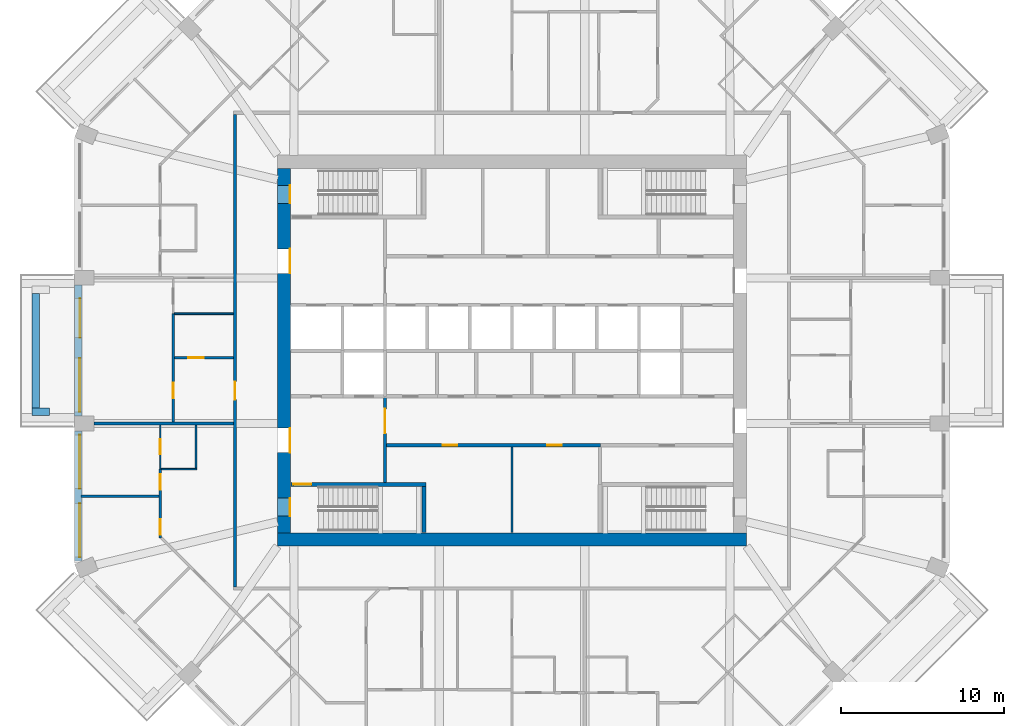
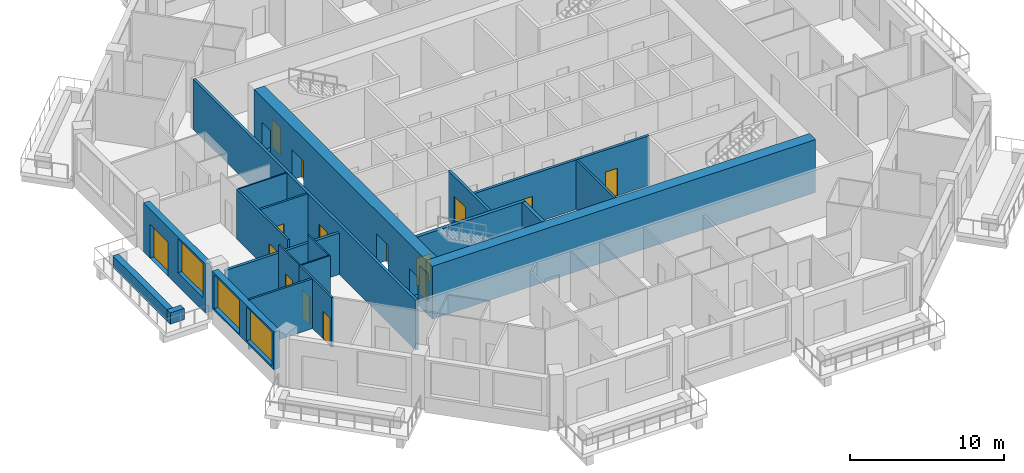
# One storey, part 4 of 13: 21 walls, 15 doors, 3 windows, 18 openings.
"""IFC4 building model written with IfcOpenShell, lengths in metres."""

from ifc_helpers import new_model, si_unit, direction, frame, frame_2d, origin, place, context, subcontext, project, spatial, rectangle, extrude, material, layer, layer_set, type_object, element, fill, save


model = new_model("IFC4")

# Units and contexts
model_context = context("Model", 3, precision=1e-05, world=origin(), true_north=direction((0.0, 1.0)))
body_context = subcontext(model_context, "Body", "Model", "MODEL_VIEW")
ifc_project = project(units=[si_unit("LENGTHUNIT", "METRE"), si_unit("AREAUNIT", "SQUARE_METRE"), si_unit("VOLUMEUNIT", "CUBIC_METRE"), si_unit("PLANEANGLEUNIT", "RADIAN"), si_unit("MASSUNIT", "GRAM", prefix="KILO")], contexts=[model_context])

# Site, building, storey
site_placement = place(None, origin())
site = spatial("IfcSite", under=ifc_project, at=site_placement, CompositionType="ELEMENT")
building_placement = place(site_placement, origin())
building = spatial("IfcBuilding", under=site, at=building_placement, Name="Msitu Wima Residences", CompositionType="ELEMENT")
storey_placement = place(building_placement, frame((0.0, 0.0, 114.89990234375)))
storey = spatial("IfcBuildingStorey", under=building, at=storey_placement, Name="L26", CompositionType="ELEMENT", Elevation=114.89990234375)

# Walls
ifc_material_1 = material(Name="Facing brick")
ifc_layer_1 = layer(ifc_material_1, 0.06494140625, Name="Facing brick")
ifc_material_2 = material(Name="Concrete C40/50", Category="concrete")
ifc_layer_2 = layer(ifc_material_2, 0.156005859375, Name="Concrete C40/50")
ifc_material_3 = material(Name="Waterproofing membrane")
ifc_layer_3 = layer(ifc_material_3, 0.00390625, Name="Waterproofing membrane")
ifc_material_4 = material(Name="Planting soil and planting")
ifc_layer_4 = layer(ifc_material_4, 0.22509765625, Name="Planting soil and planting")
ifc_layer_set_1 = layer_set([ifc_layer_1, ifc_layer_2, ifc_layer_3, ifc_layer_4], Name="Concrete C40/50")
wall_type_1 = type_object("IfcWallType", Name="Balcony planter PLANTER PL450", PredefinedType="USERDEFINED", material=ifc_layer_set_1)
wall_1_placement = place(storey_placement, frame((-29.22509765625, 3.5185546875, 0.0), z_axis=(0.0, 0.0, 1.0), x_axis=(0.0, -1.0, 0.0)))
element("IfcWall", 1, at=wall_1_placement, inside=storey, type_object=wall_type_1, Name="Balcony planter W1 L26", ObjectType="PLANTER", PredefinedType="USERDEFINED", context=body_context, shape_type="SweptSolid", body=[
    extrude(rectangle(XDim=7.037109375, YDim=0.449951171875, at=frame_2d((3.5185546875, 0.0))), origin(), (0.0, 0.0, 1.0), 0.900146484375),
])
wall_2_placement = place(storey_placement, frame((-28.39990234375, -3.74365234375, 0.0), z_axis=(0.0, 0.0, 1.0), x_axis=(-1.0, 0.0, 0.0)))
element("IfcWall", 2, at=wall_2_placement, inside=storey, type_object=wall_type_1, Name="Balcony planter W1 L26", ObjectType="PLANTER", PredefinedType="USERDEFINED", context=body_context, shape_type="SweptSolid", body=[
    extrude(rectangle(XDim=1.050048828125, YDim=0.449951171875, at=frame_2d((0.52490234375, 0.0))), origin(), (0.0, 0.0, 1.0), 0.900146484375),
])

# Wall, openings, door, window
ifc_material_5 = material(Name="Brick (red buff mix)", Category="masonry")
ifc_layer_5 = layer(ifc_material_5, 0.449951171875)
ifc_layer_set_2 = layer_set([ifc_layer_5], Name="Brick (red buff mix)")
wall_type_2 = type_object("IfcWallType", Name="Brick infill wall BW450", PredefinedType="SOLIDWALL", material=ifc_layer_set_2)
wall_3_placement = place(storey_placement, frame((-26.625, 4.0185546875, 0.0), z_axis=(0.0, 0.0, 1.0), x_axis=(0.0, -1.0, 0.0)))
wall_3 = element("IfcWall", 3, at=wall_3_placement, inside=storey, type_object=wall_type_2, Name="Brick infill wall L26 W1", PredefinedType="SOLIDWALL", context=body_context, shape_type="SweptSolid", body=[
    extrude(rectangle(XDim=8.037109375, YDim=0.449951171875, at=frame_2d((4.0185546875, 0.0))), origin(), (0.0, 0.0, 1.0), 3.900146484375),
])
opening_1_placement = place(wall_3_placement, frame((0.809326171875, 0.0, 0.0)))
opening_1 = element("IfcOpeningElement", 4, at=opening_1_placement, cuts=wall_3, Name="Opening D25-26.010", PredefinedType="OPENING", context=body_context, shape_type="SweptSolid", body=[
    extrude(rectangle(XDim=2.39990234375, YDim=2.699951171875, at=frame_2d((1.199951171875, 1.35009765625))), frame((0.0, 0.23486328125, 0.0), z_axis=(0.0, -1.0, 0.0), x_axis=(1.0, 0.0, 0.0)), (0.0, 0.0, 1.0), 0.469970703125),
])
opening_2_placement = place(wall_3_placement, frame((4.46875, 0.0, 1.050048828125)))
opening_2 = element("IfcOpeningElement", 5, at=opening_2_placement, cuts=wall_3, Name="Opening W25-26.028", PredefinedType="OPENING", context=body_context, shape_type="SweptSolid", body=[
    extrude(rectangle(XDim=3.300048828125, YDim=2.699951171875, at=frame_2d((1.64990234375, 1.35009765625))), frame((0.0, 0.23486328125, 0.0), z_axis=(0.0, -1.0, 0.0), x_axis=(1.0, 0.0, 0.0)), (0.0, 0.0, 1.0), 0.469970703125),
])
ifc_material_6 = material(Name="Anodised aluminium, bronze finish, clear low-emissivity double glazing", Category="aluminium")
door_type_1 = type_object("IfcDoorType", Name="Balcony door D2400x2700", OperationType="SLIDING_TO_LEFT", PredefinedType="DOOR", material=ifc_material_6)
door_1_placement = place(opening_1_placement, origin())
door_1 = element("IfcDoor", 6, at=door_1_placement, inside=storey, type_object=door_type_1, Name="Balcony door L26 W1", OperationType="SINGLE_SWING_LEFT", OverallHeight=2.699951171875, OverallWidth=2.39990234375, PredefinedType="DOOR", context=body_context, shape_type="SweptSolid", body=[
    extrude(rectangle(XDim=2.39990234375, YDim=2.699951171875, at=frame_2d((1.199951171875, 1.35009765625))), frame((0.0, 0.1298828125, 0.0), z_axis=(0.0, -1.0, 0.0), x_axis=(1.0, 0.0, 0.0)), (0.0, 0.0, 1.0), 0.050048828125),
])
fill(opening_1, door_1)
window_type = type_object("IfcWindowType", Name="Window W3300x2700", PartitioningType="DOUBLE_PANEL_VERTICAL", PredefinedType="WINDOW", material=ifc_material_6)
window_1_placement = place(opening_2_placement, origin())
window_1 = element("IfcWindow", 7, at=window_1_placement, inside=storey, type_object=window_type, Name="Window L26 W1.2", OverallHeight=2.699951171875, OverallWidth=3.300048828125, PartitioningType="SINGLE_PANEL", PredefinedType="WINDOW", context=body_context, shape_type="SweptSolid", body=[
    extrude(rectangle(XDim=3.300048828125, YDim=2.699951171875, at=frame_2d((1.64990234375, 1.35009765625))), frame((0.0, 0.135009765625, 0.0), z_axis=(0.0, -1.0, 0.0), x_axis=(1.0, 0.0, 0.0)), (0.0, 0.0, 1.0), 0.06005859375),
])
fill(opening_2, window_1)

# Wall, openings, windows
wall_4_placement = place(storey_placement, frame((-26.625, -4.918701171875, 0.900146484375), z_axis=(0.0, 0.0, 1.0), x_axis=(0.0, -1.0, 0.0)))
wall_4 = element("IfcWall", 8, at=wall_4_placement, inside=storey, type_object=wall_type_2, Name="Brick infill wall L26 W2", PredefinedType="SOLIDWALL", context=body_context, shape_type="SweptSolid", body=[
    extrude(rectangle(XDim=8.0, YDim=0.449951171875, at=frame_2d((4.0, 0.0))), origin(), (0.0, 0.0, 1.0), 3.0),
])
opening_3_placement = place(wall_4_placement, frame((0.25, 0.0, 0.14990234375)))
opening_3 = element("IfcOpeningElement", 9, at=opening_3_placement, cuts=wall_4, Name="Opening W25-26.029", PredefinedType="OPENING", context=body_context, shape_type="SweptSolid", body=[
    extrude(rectangle(XDim=3.300048828125, YDim=2.699951171875, at=frame_2d((1.64990234375, 1.35009765625))), frame((0.0, 0.23486328125, 0.0), z_axis=(0.0, -1.0, 0.0), x_axis=(1.0, 0.0, 0.0)), (0.0, 0.0, 1.0), 0.469970703125),
])
opening_4_placement = place(wall_4_placement, frame((4.4501953125, 0.0, 0.14990234375)))
opening_4 = element("IfcOpeningElement", 10, at=opening_4_placement, cuts=wall_4, Name="Opening W25-26.030", PredefinedType="OPENING", context=body_context, shape_type="SweptSolid", body=[
    extrude(rectangle(XDim=3.300048828125, YDim=2.699951171875, at=frame_2d((1.64990234375, 1.35009765625))), frame((0.0, 0.23486328125, 0.0), z_axis=(0.0, -1.0, 0.0), x_axis=(1.0, 0.0, 0.0)), (0.0, 0.0, 1.0), 0.469970703125),
])
window_2_placement = place(opening_3_placement, origin())
window_2 = element("IfcWindow", 11, at=window_2_placement, inside=storey, type_object=window_type, Name="Window L26 W2.1", OverallHeight=2.699951171875, OverallWidth=3.300048828125, PartitioningType="SINGLE_PANEL", PredefinedType="WINDOW", context=body_context, shape_type="SweptSolid", body=[
    extrude(rectangle(XDim=3.300048828125, YDim=2.699951171875, at=frame_2d((1.64990234375, 1.35009765625))), frame((0.0, 0.135009765625, 0.0), z_axis=(0.0, -1.0, 0.0), x_axis=(1.0, 0.0, 0.0)), (0.0, 0.0, 1.0), 0.06005859375),
])
fill(opening_3, window_2)
window_3_placement = place(opening_4_placement, origin())
window_3 = element("IfcWindow", 12, at=window_3_placement, inside=storey, type_object=window_type, Name="Window L26 W2.2", OverallHeight=2.699951171875, OverallWidth=3.300048828125, PartitioningType="SINGLE_PANEL", PredefinedType="WINDOW", context=body_context, shape_type="SweptSolid", body=[
    extrude(rectangle(XDim=3.300048828125, YDim=2.699951171875, at=frame_2d((1.64990234375, 1.35009765625))), frame((0.0, 0.135009765625, 0.0), z_axis=(0.0, -1.0, 0.0), x_axis=(1.0, 0.0, 0.0)), (0.0, 0.0, 1.0), 0.06005859375),
])
fill(opening_4, window_3)

# Wall
ifc_material_7 = material(Name="Concrete C70/85", Category="concrete")
ifc_layer_6 = layer(ifc_material_7, 0.800048828125)
ifc_layer_set_3 = layer_set([ifc_layer_6], Name="Concrete C70/85")
wall_type_3 = type_object("IfcWallType", Name="Core wall CW800 C70/85", PredefinedType="SHEAR", material=ifc_layer_set_3)
wall_5_placement = place(storey_placement, frame((-14.39990234375, -11.60009765625, 0.0), z_axis=(0.0, 0.0, 1.0), x_axis=(1.0, 0.0, 0.0)))
element("IfcWall", 13, at=wall_5_placement, inside=storey, type_object=wall_type_3, Name="Core wall", PredefinedType="SHEAR", context=body_context, shape_type="SweptSolid", body=[
    extrude(rectangle(XDim=28.7998046875, YDim=0.800048828125, at=frame_2d((14.39990234375, 0.0))), origin(), (0.0, 0.0, 1.0), 4.2001953125),
])

# Wall, openings, doors
wall_6_placement = place(storey_placement, frame((-14.0, -11.199951171875, 0.0), z_axis=(0.0, 0.0, 1.0), x_axis=(0.0, 1.0, 0.0)))
wall_6 = element("IfcWall", 14, at=wall_6_placement, inside=storey, type_object=wall_type_3, Name="Core wall", PredefinedType="SHEAR", context=body_context, shape_type="SweptSolid", body=[
    extrude(rectangle(XDim=22.39990234375, YDim=0.800048828125, at=frame_2d((11.199951171875, 0.0))), origin(), (0.0, 0.0, 1.0), 4.2001953125),
])
opening_5_placement = place(wall_6_placement, frame((20.25, 0.0, 0.0)))
opening_5 = element("IfcOpeningElement", 15, at=opening_5_placement, cuts=wall_6, Name="Opening D25-26.036", PredefinedType="OPENING", context=body_context, shape_type="SweptSolid", body=[
    extrude(rectangle(XDim=1.10009765625, YDim=2.199951171875, at=frame_2d((0.550048828125, 1.10009765625))), frame((0.0, 0.409912109375, 0.0), z_axis=(0.0, -1.0, 0.0), x_axis=(1.0, 0.0, 0.0)), (0.0, 0.0, 1.0), 0.820068359375),
])
opening_6_placement = place(wall_6_placement, frame((1.050048828125, 0.0, 0.0)))
opening_6 = element("IfcOpeningElement", 16, at=opening_6_placement, cuts=wall_6, Name="Opening D25-26.038", PredefinedType="OPENING", context=body_context, shape_type="SweptSolid", body=[
    extrude(rectangle(XDim=1.10009765625, YDim=2.199951171875, at=frame_2d((0.550048828125, 1.10009765625))), frame((0.0, 0.409912109375, 0.0), z_axis=(0.0, -1.0, 0.0), x_axis=(1.0, 0.0, 0.0)), (0.0, 0.0, 1.0), 0.820068359375),
])
opening_7_placement = place(wall_6_placement, frame((15.949951171875, 0.0, 0.0)))
opening_7 = element("IfcOpeningElement", 17, at=opening_7_placement, cuts=wall_6, Name="Opening D25-26.016", PredefinedType="OPENING", context=body_context, shape_type="SweptSolid", body=[
    extrude(rectangle(XDim=1.5, YDim=2.39990234375, at=frame_2d((0.75, 1.199951171875))), frame((0.0, 0.409912109375, 0.0), z_axis=(0.0, -1.0, 0.0), x_axis=(1.0, 0.0, 0.0)), (0.0, 0.0, 1.0), 0.820068359375),
])
opening_8_placement = place(wall_6_placement, frame((4.949951171875, 0.0, 0.0)))
opening_8 = element("IfcOpeningElement", 18, at=opening_8_placement, cuts=wall_6, Name="Opening D25-26.018", PredefinedType="OPENING", context=body_context, shape_type="SweptSolid", body=[
    extrude(rectangle(XDim=1.5, YDim=2.39990234375, at=frame_2d((0.75, 1.199951171875))), frame((0.0, 0.409912109375, 0.0), z_axis=(0.0, -1.0, 0.0), x_axis=(1.0, 0.0, 0.0)), (0.0, 0.0, 1.0), 0.820068359375),
])
ifc_material_8 = material(Name="Steel framed glazed door, fire resisting", Category="steel")
door_type_2 = type_object("IfcDoorType", Name="Lobby door D07 1500x2400", OperationType="DOUBLE_DOOR_SINGLE_SWING", PredefinedType="DOOR", material=ifc_material_8)
door_2_placement = place(opening_7_placement, origin())
door_2 = element("IfcDoor", 19, at=door_2_placement, inside=storey, type_object=door_type_2, Name="Lobby door", OperationType="DOUBLE_DOOR_SINGLE_SWING", OverallHeight=2.39990234375, OverallWidth=1.5, PredefinedType="DOOR", context=body_context, shape_type="SweptSolid", body=[
    extrude(rectangle(XDim=1.5, YDim=2.39990234375, at=frame_2d((0.75, 1.199951171875))), frame((0.0, -0.34521484375, 0.0), z_axis=(0.0, -1.0, 0.0), x_axis=(1.0, 0.0, 0.0)), (0.0, 0.0, 1.0), 0.050048828125),
])
fill(opening_7, door_2)
door_3_placement = place(opening_8_placement, origin())
door_3 = element("IfcDoor", 20, at=door_3_placement, inside=storey, type_object=door_type_2, Name="Lobby door", OperationType="DOUBLE_DOOR_SINGLE_SWING", OverallHeight=2.39990234375, OverallWidth=1.5, PredefinedType="DOOR", context=body_context, shape_type="SweptSolid", body=[
    extrude(rectangle(XDim=1.5, YDim=2.39990234375, at=frame_2d((0.75, 1.199951171875))), frame((0.0, -0.34521484375, 0.0), z_axis=(0.0, -1.0, 0.0), x_axis=(1.0, 0.0, 0.0)), (0.0, 0.0, 1.0), 0.050048828125),
])
fill(opening_8, door_3)
ifc_material_9 = material(Name="Steel door, fire resisting, panic bar", Category="steel")
door_type_3 = type_object("IfcDoorType", Name="Stair door D06 1100x2200", OperationType="SINGLE_SWING_LEFT", PredefinedType="DOOR", material=ifc_material_9)
door_4_placement = place(opening_5_placement, origin())
door_4 = element("IfcDoor", 21, at=door_4_placement, inside=storey, type_object=door_type_3, Name="Stair door", OperationType="SINGLE_SWING_RIGHT", OverallHeight=2.199951171875, OverallWidth=1.10009765625, PredefinedType="DOOR", context=body_context, shape_type="SweptSolid", body=[
    extrude(rectangle(XDim=1.10009765625, YDim=2.199951171875, at=frame_2d((0.550048828125, 1.10009765625))), frame((0.0, -0.34521484375, 0.0), z_axis=(0.0, -1.0, 0.0), x_axis=(1.0, 0.0, 0.0)), (0.0, 0.0, 1.0), 0.050048828125),
])
fill(opening_5, door_4)
door_5_placement = place(opening_6_placement, origin())
door_5 = element("IfcDoor", 22, at=door_5_placement, inside=storey, type_object=door_type_3, Name="Stair door", OperationType="SINGLE_SWING_LEFT", OverallHeight=2.199951171875, OverallWidth=1.10009765625, PredefinedType="DOOR", context=body_context, shape_type="SweptSolid", body=[
    extrude(rectangle(XDim=1.10009765625, YDim=2.199951171875, at=frame_2d((0.550048828125, 1.10009765625))), frame((0.0, -0.34521484375, 0.0), z_axis=(0.0, -1.0, 0.0), x_axis=(1.0, 0.0, 0.0)), (0.0, 0.0, 1.0), 0.050048828125),
])
fill(opening_6, door_5)

# Wall, opening, door
ifc_material_10 = material(Name="Plaster")
ifc_layer_7 = layer(ifc_material_10, 0.011962890625, Name="Plaster")
ifc_material_11 = material(Name="Concrete blockwork", Category="masonry")
ifc_layer_8 = layer(ifc_material_11, 0.176025390625, Name="Concrete blockwork")
ifc_layer_9 = layer(ifc_material_10, 0.011962890625, Name="Plaster")
ifc_layer_set_4 = layer_set([ifc_layer_7, ifc_layer_8, ifc_layer_9], Name="Concrete blockwork")
wall_type_4 = type_object("IfcWallType", Name="Corridor wall FW200", PredefinedType="PARTITIONING", material=ifc_layer_set_4)
wall_7_placement = place(storey_placement, frame((-17.0, -14.5, 0.0), z_axis=(0.0, 0.0, 1.0), x_axis=(0.0, 1.0, 0.0)))
wall_7 = element("IfcWall", 23, at=wall_7_placement, inside=storey, type_object=wall_type_4, Name="Corridor wall", PredefinedType="PARTITIONING", context=body_context, shape_type="SweptSolid", body=[
    extrude(rectangle(XDim=29.0, YDim=0.199951171875, at=frame_2d((14.5, 0.0))), origin(), (0.0, 0.0, 1.0), 3.9501953125),
])
opening_9_placement = place(wall_7_placement, frame((11.5, 0.0, 0.0)))
opening_9 = element("IfcOpeningElement", 24, at=opening_9_placement, cuts=wall_7, Name="Opening D25-26.012", PredefinedType="OPENING", context=body_context, shape_type="SweptSolid", body=[
    extrude(rectangle(XDim=1.10009765625, YDim=2.39990234375, at=frame_2d((0.550048828125, 1.199951171875))), frame((0.0, 0.10986328125, 0.0), z_axis=(0.0, -1.0, 0.0), x_axis=(1.0, 0.0, 0.0)), (0.0, 0.0, 1.0), 0.219970703125),
])
ifc_material_12 = material(Name="Timber flush door, fire resisting, self-closing", Category="wood")
door_type_4 = type_object("IfcDoorType", Name="Flat entrance door D01 1100x2400", OperationType="SINGLE_SWING_LEFT", PredefinedType="DOOR", material=ifc_material_12)
door_6_placement = place(opening_9_placement, origin())
door_6 = element("IfcDoor", 25, at=door_6_placement, inside=storey, type_object=door_type_4, Name="Flat entrance door", OperationType="SINGLE_SWING_LEFT", OverallHeight=2.39990234375, OverallWidth=1.10009765625, PredefinedType="DOOR", context=body_context, shape_type="SweptSolid", body=[
    extrude(rectangle(XDim=1.10009765625, YDim=2.39990234375, at=frame_2d((0.550048828125, 1.199951171875))), frame((0.0, 0.02490234375, 0.0), z_axis=(0.0, -1.0, 0.0), x_axis=(1.0, 0.0, 0.0)), (0.0, 0.0, 1.0), 0.050048828125),
])
fill(opening_9, door_6)

wall_8_placement = place(storey_placement, frame((-7.800048828125, -8.074951171875, 0.0), z_axis=(0.0, 0.0, 1.0), x_axis=(0.0, 1.0, 0.0)))
wall_8 = element("IfcWall", 26, at=wall_8_placement, inside=storey, type_object=wall_type_4, Name="Corridor wall", PredefinedType="PARTITIONING", context=body_context, shape_type="SweptSolid", body=[
    extrude(rectangle(XDim=5.27490234375, YDim=0.199951171875, at=frame_2d((2.637451171875, 0.0))), origin(), (0.0, 0.0, 1.0), 3.9501953125),
])
opening_10_placement = place(wall_8_placement, frame((3.0, 0.0, 0.0)))
opening_10 = element("IfcOpeningElement", 27, at=opening_10_placement, cuts=wall_8, Name="Opening D25-26.019", PredefinedType="OPENING", context=body_context, shape_type="SweptSolid", body=[
    extrude(rectangle(XDim=1.5, YDim=2.39990234375, at=frame_2d((0.75, 1.199951171875))), frame((0.0, 0.10986328125, 0.0), z_axis=(0.0, -1.0, 0.0), x_axis=(1.0, 0.0, 0.0)), (0.0, 0.0, 1.0), 0.219970703125),
])
door_7_placement = place(opening_10_placement, origin())
door_7 = element("IfcDoor", 28, at=door_7_placement, inside=storey, type_object=door_type_2, Name="Lobby door", OperationType="DOUBLE_DOOR_SINGLE_SWING", OverallHeight=2.39990234375, OverallWidth=1.5, PredefinedType="DOOR", context=body_context, shape_type="SweptSolid", body=[
    extrude(rectangle(XDim=1.5, YDim=2.39990234375, at=frame_2d((0.75, 1.199951171875))), frame((0.0, 0.02490234375, 0.0), z_axis=(0.0, -1.0, 0.0), x_axis=(1.0, 0.0, 0.0)), (0.0, 0.0, 1.0), 0.050048828125),
])
fill(opening_10, door_7)

# Wall, openings, doors
wall_9_placement = place(storey_placement, frame((-7.699951171875, -5.800048828125, 0.0), z_axis=(0.0, 0.0, 1.0), x_axis=(1.0, 0.0, 0.0)))
wall_9 = element("IfcWall", 29, at=wall_9_placement, inside=storey, type_object=wall_type_4, Name="Corridor wall", PredefinedType="PARTITIONING", context=body_context, shape_type="SweptSolid", body=[
    extrude(rectangle(XDim=13.119873046875, YDim=0.199951171875, at=frame_2d((6.56005859375, 0.0))), origin(), (0.0, 0.0, 1.0), 3.9501953125),
])
opening_11_placement = place(wall_9_placement, frame((3.449951171875, 0.0, 0.0)))
opening_11 = element("IfcOpeningElement", 30, at=opening_11_placement, cuts=wall_9, Name="Opening D25-26.024", PredefinedType="OPENING", context=body_context, shape_type="SweptSolid", body=[
    extrude(rectangle(XDim=0.89990234375, YDim=2.199951171875, at=frame_2d((0.449951171875, 1.10009765625))), frame((0.0, 0.10986328125, 0.0), z_axis=(0.0, -1.0, 0.0), x_axis=(1.0, 0.0, 0.0)), (0.0, 0.0, 1.0), 0.219970703125),
])
opening_12_placement = place(wall_9_placement, frame((9.85009765625, 0.0, 0.0)))
opening_12 = element("IfcOpeningElement", 31, at=opening_12_placement, cuts=wall_9, Name="Opening D25-26.025", PredefinedType="OPENING", context=body_context, shape_type="SweptSolid", body=[
    extrude(rectangle(XDim=0.89990234375, YDim=2.199951171875, at=frame_2d((0.449951171875, 1.10009765625))), frame((0.0, 0.10986328125, 0.0), z_axis=(0.0, -1.0, 0.0), x_axis=(1.0, 0.0, 0.0)), (0.0, 0.0, 1.0), 0.219970703125),
])
ifc_material_13 = material(Name="Timber flush door", Category="wood")
door_type_5 = type_object("IfcDoorType", Name="Service door D05 900x2200", OperationType="SINGLE_SWING_LEFT", PredefinedType="DOOR", material=ifc_material_13)
door_8_placement = place(opening_11_placement, origin())
door_8 = element("IfcDoor", 32, at=door_8_placement, inside=storey, type_object=door_type_5, Name="Service door", OperationType="SINGLE_SWING_RIGHT", OverallHeight=2.199951171875, OverallWidth=0.89990234375, PredefinedType="DOOR", context=body_context, shape_type="SweptSolid", body=[
    extrude(rectangle(XDim=0.89990234375, YDim=2.199951171875, at=frame_2d((0.449951171875, 1.10009765625))), frame((0.0, 0.02490234375, 0.0), z_axis=(0.0, -1.0, 0.0), x_axis=(1.0, 0.0, 0.0)), (0.0, 0.0, 1.0), 0.050048828125),
])
fill(opening_11, door_8)
door_9_placement = place(opening_12_placement, origin())
door_9 = element("IfcDoor", 33, at=door_9_placement, inside=storey, type_object=door_type_5, Name="Service door", OperationType="SINGLE_SWING_RIGHT", OverallHeight=2.199951171875, OverallWidth=0.89990234375, PredefinedType="DOOR", context=body_context, shape_type="SweptSolid", body=[
    extrude(rectangle(XDim=0.89990234375, YDim=2.199951171875, at=frame_2d((0.449951171875, 1.10009765625))), frame((0.0, 0.02490234375, 0.0), z_axis=(0.0, -1.0, 0.0), x_axis=(1.0, 0.0, 0.0)), (0.0, 0.0, 1.0), 0.050048828125),
])
fill(opening_12, door_9)

# Wall
ifc_layer_10 = layer(ifc_material_10, 0.011962890625, Name="Plaster")
ifc_layer_11 = layer(ifc_material_11, 0.1259765625, Name="Concrete blockwork")
ifc_layer_12 = layer(ifc_material_10, 0.011962890625, Name="Plaster")
ifc_layer_set_5 = layer_set([ifc_layer_10, ifc_layer_11, ifc_layer_12], Name="Concrete blockwork")
wall_type_5 = type_object("IfcWallType", Name="Partition PW150", PredefinedType="PARTITIONING", material=ifc_layer_set_5)
wall_10_placement = place(storey_placement, frame((-26.455078125, -8.937255859375, 0.0), z_axis=(0.0, 0.0, 1.0), x_axis=(1.0, 0.0, 0.0)))
element("IfcWall", 34, at=wall_10_placement, inside=storey, type_object=wall_type_5, Name="Partition", PredefinedType="PARTITIONING", context=body_context, shape_type="SweptSolid", body=[
    extrude(rectangle(XDim=4.780029296875, YDim=0.14990234375, at=frame_2d((2.39013671875, 0.0))), origin(), (0.0, 0.0, 1.0), 3.9501953125),
])

# Wall, openings, doors
wall_11_placement = place(storey_placement, frame((-21.60009765625, -11.49267578125, 0.0), z_axis=(0.0, 0.0, 1.0), x_axis=(0.0, 1.0, 0.0)))
wall_11 = element("IfcWall", 35, at=wall_11_placement, inside=storey, type_object=wall_type_5, Name="Partition", PredefinedType="PARTITIONING", context=body_context, shape_type="SweptSolid", body=[
    extrude(rectangle(XDim=4.244140625, YDim=0.14990234375, at=frame_2d((2.1220703125, 0.0))), origin(), (0.0, 0.0, 1.0), 3.9501953125),
])
opening_13_placement = place(wall_11_placement, frame((2.949951171875, 0.0, 0.0)))
opening_13 = element("IfcOpeningElement", 36, at=opening_13_placement, cuts=wall_11, Name="Opening D25-26.068", PredefinedType="OPENING", context=body_context, shape_type="SweptSolid", body=[
    extrude(rectangle(XDim=0.949951171875, YDim=2.199951171875, at=frame_2d((0.47509765625, 1.10009765625))), frame((0.0, 0.0849609375, 0.0), z_axis=(0.0, -1.0, 0.0), x_axis=(1.0, 0.0, 0.0)), (0.0, 0.0, 1.0), 0.169921875),
])
opening_14_placement = place(wall_11_placement, frame((0.199951171875, 0.0, 0.0)))
opening_14 = element("IfcOpeningElement", 37, at=opening_14_placement, cuts=wall_11, Name="Opening D25-26.071", PredefinedType="OPENING", context=body_context, shape_type="SweptSolid", body=[
    extrude(rectangle(XDim=0.949951171875, YDim=2.199951171875, at=frame_2d((0.47509765625, 1.10009765625))), frame((0.0, 0.0849609375, 0.0), z_axis=(0.0, -1.0, 0.0), x_axis=(1.0, 0.0, 0.0)), (0.0, 0.0, 1.0), 0.169921875),
])
door_type_6 = type_object("IfcDoorType", Name="Room door D12 950x2200", OperationType="SINGLE_SWING_LEFT", PredefinedType="DOOR", material=ifc_material_13)
door_10_placement = place(opening_13_placement, origin())
door_10 = element("IfcDoor", 38, at=door_10_placement, inside=storey, type_object=door_type_6, Name="Room door", OperationType="SINGLE_SWING_LEFT", OverallHeight=2.199951171875, OverallWidth=0.949951171875, PredefinedType="DOOR", context=body_context, shape_type="SweptSolid", body=[
    extrude(rectangle(XDim=0.949951171875, YDim=2.199951171875, at=frame_2d((0.47509765625, 1.10009765625))), frame((0.0, 0.02490234375, 0.0), z_axis=(0.0, -1.0, 0.0), x_axis=(1.0, 0.0, 0.0)), (0.0, 0.0, 1.0), 0.050048828125),
])
fill(opening_13, door_10)
door_11_placement = place(opening_14_placement, origin())
door_11 = element("IfcDoor", 39, at=door_11_placement, inside=storey, type_object=door_type_6, Name="Room door", OperationType="SINGLE_SWING_RIGHT", OverallHeight=2.199951171875, OverallWidth=0.949951171875, PredefinedType="DOOR", context=body_context, shape_type="SweptSolid", body=[
    extrude(rectangle(XDim=0.949951171875, YDim=2.199951171875, at=frame_2d((0.47509765625, 1.10009765625))), frame((0.0, 0.02490234375, 0.0), z_axis=(0.0, -1.0, 0.0), x_axis=(1.0, 0.0, 0.0)), (0.0, 0.0, 1.0), 0.050048828125),
])
fill(opening_14, door_11)

# Wall, opening, door
wall_12_placement = place(storey_placement, frame((-20.800048828125, -4.36865234375, 0.0), z_axis=(0.0, 0.0, 1.0), x_axis=(0.0, 1.0, 0.0)))
wall_12 = element("IfcWall", 40, at=wall_12_placement, inside=storey, type_object=wall_type_5, Name="Partition", PredefinedType="PARTITIONING", context=body_context, shape_type="SweptSolid", body=[
    extrude(rectangle(XDim=6.6572265625, YDim=0.14990234375, at=frame_2d((3.32861328125, 0.0))), origin(), (0.0, 0.0, 1.0), 3.9501953125),
])
opening_15_placement = place(wall_12_placement, frame((1.449951171875, 0.0, 0.0)))
opening_15 = element("IfcOpeningElement", 41, at=opening_15_placement, cuts=wall_12, Name="Opening D25-26.047", PredefinedType="OPENING", context=body_context, shape_type="SweptSolid", body=[
    extrude(rectangle(XDim=0.949951171875, YDim=2.199951171875, at=frame_2d((0.47509765625, 1.10009765625))), frame((0.0, 0.0849609375, 0.0), z_axis=(0.0, -1.0, 0.0), x_axis=(1.0, 0.0, 0.0)), (0.0, 0.0, 1.0), 0.169921875),
])
door_12_placement = place(opening_15_placement, origin())
door_12 = element("IfcDoor", 42, at=door_12_placement, inside=storey, type_object=door_type_6, Name="Room door", OperationType="SINGLE_SWING_LEFT", OverallHeight=2.199951171875, OverallWidth=0.949951171875, PredefinedType="DOOR", context=body_context, shape_type="SweptSolid", body=[
    extrude(rectangle(XDim=0.949951171875, YDim=2.199951171875, at=frame_2d((0.47509765625, 1.10009765625))), frame((0.0, 0.02490234375, 0.0), z_axis=(0.0, -1.0, 0.0), x_axis=(1.0, 0.0, 0.0)), (0.0, 0.0, 1.0), 0.050048828125),
])
fill(opening_15, door_12)

wall_13_placement = place(storey_placement, frame((-20.72509765625, -0.431396484375, 0.0), z_axis=(0.0, 0.0, 1.0), x_axis=(1.0, 0.0, 0.0)))
wall_13 = element("IfcWall", 43, at=wall_13_placement, inside=storey, type_object=wall_type_5, Name="Partition", PredefinedType="PARTITIONING", context=body_context, shape_type="SweptSolid", body=[
    extrude(rectangle(XDim=3.625, YDim=0.14990234375, at=frame_2d((1.8125, 0.0))), origin(), (0.0, 0.0, 1.0), 3.9501953125),
])
opening_16_placement = place(wall_13_placement, frame((0.85009765625, 0.0, 0.0)))
opening_16 = element("IfcOpeningElement", 44, at=opening_16_placement, cuts=wall_13, Name="Opening D25-26.048", PredefinedType="OPENING", context=body_context, shape_type="SweptSolid", body=[
    extrude(rectangle(XDim=0.949951171875, YDim=2.199951171875, at=frame_2d((0.47509765625, 1.10009765625))), frame((0.0, 0.0849609375, 0.0), z_axis=(0.0, -1.0, 0.0), x_axis=(1.0, 0.0, 0.0)), (0.0, 0.0, 1.0), 0.169921875),
])
door_13_placement = place(opening_16_placement, origin())
door_13 = element("IfcDoor", 45, at=door_13_placement, inside=storey, type_object=door_type_6, Name="Room door", OperationType="SINGLE_SWING_LEFT", OverallHeight=2.199951171875, OverallWidth=0.949951171875, PredefinedType="DOOR", context=body_context, shape_type="SweptSolid", body=[
    extrude(rectangle(XDim=0.949951171875, YDim=2.199951171875, at=frame_2d((0.47509765625, 1.10009765625))), frame((0.0, 0.02490234375, 0.0), z_axis=(0.0, -1.0, 0.0), x_axis=(1.0, 0.0, 0.0)), (0.0, 0.0, 1.0), 0.050048828125),
])
fill(opening_16, door_13)

# Walls
wall_14_placement = place(storey_placement, frame((0.0, -11.169921875, 0.0), z_axis=(0.0, 0.0, 1.0), x_axis=(0.0, 1.0, 0.0)))
element("IfcWall", 46, at=wall_14_placement, inside=storey, type_object=wall_type_5, Name="Partition", PredefinedType="PARTITIONING", context=body_context, shape_type="SweptSolid", body=[
    extrude(rectangle(XDim=5.27001953125, YDim=0.14990234375, at=frame_2d((2.635009765625, 0.0))), origin(), (0.0, 0.0, 1.0), 3.9501953125),
])
ifc_layer_13 = layer(ifc_material_10, 0.011962890625, Name="Plaster")
ifc_material_14 = material(Name="Dense concrete blockwork", Category="masonry")
ifc_layer_14 = layer(ifc_material_14, 0.176025390625, Name="Dense concrete blockwork")
ifc_layer_15 = layer(ifc_material_10, 0.011962890625, Name="Plaster")
ifc_layer_set_6 = layer_set([ifc_layer_13, ifc_layer_14, ifc_layer_15], Name="Dense concrete blockwork")
wall_type_6 = type_object("IfcWallType", Name="Party wall PW200", PredefinedType="PARTITIONING", material=ifc_layer_set_6)
wall_15_placement = place(storey_placement, frame((-25.64990234375, -4.46875, 0.0), z_axis=(0.0, 0.0, 1.0), x_axis=(1.0, 0.0, 0.0)))
element("IfcWall", 47, at=wall_15_placement, inside=storey, type_object=wall_type_6, Name="Party wall", PredefinedType="PARTITIONING", context=body_context, shape_type="SweptSolid", body=[
    extrude(rectangle(XDim=8.5498046875, YDim=0.199951171875, at=frame_2d((4.27490234375, 0.0))), origin(), (0.0, 0.0, 1.0), 3.300048828125),
])

# Wall, opening, door
ifc_material_15 = material(Name="Concrete C50/60", Category="concrete")
ifc_layer_16 = layer(ifc_material_15, 0.25)
ifc_layer_set_7 = layer_set([ifc_layer_16], Name="Concrete C50/60")
wall_type_7 = type_object("IfcWallType", Name="Stair enclosure wall SW250", PredefinedType="SHEAR", material=ifc_layer_set_7)
wall_16_placement = place(storey_placement, frame((-13.570068359375, -8.199951171875, 0.0), z_axis=(0.0, 0.0, 1.0), x_axis=(1.0, 0.0, 0.0)))
wall_16 = element("IfcWall", 48, at=wall_16_placement, inside=storey, type_object=wall_type_7, Name="Stair enclosure wall", PredefinedType="SHEAR", context=body_context, shape_type="SweptSolid", body=[
    extrude(rectangle(XDim=8.295166015625, YDim=0.25, at=frame_2d((4.1474609375, 0.0))), origin(), (0.0, 0.0, 1.0), 3.9501953125),
])
opening_17_placement = place(wall_16_placement, frame((0.14990234375, 0.0, 0.0)))
opening_17 = element("IfcOpeningElement", 49, at=opening_17_placement, cuts=wall_16, Name="Opening D25-26.039", PredefinedType="OPENING", context=body_context, shape_type="SweptSolid", body=[
    extrude(rectangle(XDim=1.10009765625, YDim=2.199951171875, at=frame_2d((0.550048828125, 1.10009765625))), frame((0.0, 0.135009765625, 0.0), z_axis=(0.0, -1.0, 0.0), x_axis=(1.0, 0.0, 0.0)), (0.0, 0.0, 1.0), 0.27001953125),
])
door_14_placement = place(opening_17_placement, origin())
door_14 = element("IfcDoor", 50, at=door_14_placement, inside=storey, type_object=door_type_3, Name="Stair door", OperationType="SINGLE_SWING_RIGHT", OverallHeight=2.199951171875, OverallWidth=1.10009765625, PredefinedType="DOOR", context=body_context, shape_type="SweptSolid", body=[
    extrude(rectangle(XDim=1.10009765625, YDim=2.199951171875, at=frame_2d((0.550048828125, 1.10009765625))), frame((0.0, 0.02490234375, 0.0), z_axis=(0.0, -1.0, 0.0), x_axis=(1.0, 0.0, 0.0)), (0.0, 0.0, 1.0), 0.050048828125),
])
fill(opening_17, door_14)

# Wall
wall_17_placement = place(storey_placement, frame((-5.39990234375, -11.169921875, 0.0), z_axis=(0.0, 0.0, 1.0), x_axis=(0.0, 1.0, 0.0)))
element("IfcWall", 51, at=wall_17_placement, inside=storey, type_object=wall_type_7, Name="Stair enclosure wall", PredefinedType="SHEAR", context=body_context, shape_type="SweptSolid", body=[
    extrude(rectangle(XDim=2.844970703125, YDim=0.25, at=frame_2d((1.42236328125, 0.0))), origin(), (0.0, 0.0, 1.0), 3.9501953125),
])

# Wall, opening, door
ifc_material_16 = material(Name="Ceramic tiles")
ifc_layer_17 = layer(ifc_material_16, 0.008056640625, Name="Ceramic tiles")
ifc_material_17 = material(Name="Moisture-resistant board")
ifc_layer_18 = layer(ifc_material_17, 0.012451171875, Name="Moisture-resistant board")
ifc_material_18 = material(Name="Light-gauge stud framing with mineral wool")
ifc_layer_19 = layer(ifc_material_18, 0.06689453125, Name="Light-gauge stud framing with mineral wool")
ifc_layer_20 = layer(ifc_material_17, 0.012451171875, Name="Moisture-resistant board")
ifc_layer_set_8 = layer_set([ifc_layer_17, ifc_layer_18, ifc_layer_19, ifc_layer_20], Name="Light-gauge stud framing with mineral wool")
wall_type_8 = type_object("IfcWallType", Name="Wet wall PW100", PredefinedType="PARTITIONING", material=ifc_layer_set_8)
wall_18_placement = place(storey_placement, frame((-21.60009765625, -7.24853515625, 0.0), z_axis=(0.0, 0.0, 1.0), x_axis=(0.0, 1.0, 0.0)))
wall_18 = element("IfcWall", 52, at=wall_18_placement, inside=storey, type_object=wall_type_8, Name="Wet wall", PredefinedType="PARTITIONING", context=body_context, shape_type="SweptSolid", body=[
    extrude(rectangle(XDim=2.679931640625, YDim=0.10009765625, at=frame_2d((1.33984375, 0.0))), origin(), (0.0, 0.0, 1.0), 3.9501953125),
])
opening_18_placement = place(wall_18_placement, frame((0.89990234375, 0.0, 0.0)))
opening_18 = element("IfcOpeningElement", 53, at=opening_18_placement, cuts=wall_18, Name="Opening D25-26.069", PredefinedType="OPENING", context=body_context, shape_type="SweptSolid", body=[
    extrude(rectangle(XDim=0.89990234375, YDim=2.199951171875, at=frame_2d((0.449951171875, 1.10009765625))), frame((0.0, 0.06005859375, 0.0), z_axis=(0.0, -1.0, 0.0), x_axis=(1.0, 0.0, 0.0)), (0.0, 0.0, 1.0), 0.1201171875),
])
ifc_material_19 = material(Name="Timber flush door, moisture resistant", Category="wood")
door_type_7 = type_object("IfcDoorType", Name="Bathroom door D03 900x2200", OperationType="SINGLE_SWING_LEFT", PredefinedType="DOOR", material=ifc_material_19)
door_15_placement = place(opening_18_placement, origin())
door_15 = element("IfcDoor", 54, at=door_15_placement, inside=storey, type_object=door_type_7, Name="Bathroom door", OperationType="SINGLE_SWING_RIGHT", OverallHeight=2.199951171875, OverallWidth=0.89990234375, PredefinedType="DOOR", context=body_context, shape_type="SweptSolid", body=[
    extrude(rectangle(XDim=0.89990234375, YDim=2.199951171875, at=frame_2d((0.449951171875, 1.10009765625))), frame((0.0, 0.02490234375, 0.0), z_axis=(0.0, -1.0, 0.0), x_axis=(1.0, 0.0, 0.0)), (0.0, 0.0, 1.0), 0.050048828125),
])
fill(opening_18, door_15)

# Walls
wall_19_placement = place(storey_placement, frame((-21.52490234375, -7.2685546875, 0.0), z_axis=(0.0, 0.0, 1.0), x_axis=(1.0, 0.0, 0.0)))
element("IfcWall", 55, at=wall_19_placement, inside=storey, type_object=wall_type_8, Name="Wet wall", PredefinedType="PARTITIONING", context=body_context, shape_type="SweptSolid", body=[
    extrude(rectangle(XDim=2.1748046875, YDim=0.10009765625, at=frame_2d((1.08740234375, 0.0))), origin(), (0.0, 0.0, 1.0), 3.9501953125),
])
wall_20_placement = place(storey_placement, frame((-20.72509765625, 2.2685546875, 0.0), z_axis=(0.0, 0.0, 1.0), x_axis=(1.0, 0.0, 0.0)))
element("IfcWall", 56, at=wall_20_placement, inside=storey, type_object=wall_type_8, Name="Wet wall", PredefinedType="PARTITIONING", context=body_context, shape_type="SweptSolid", body=[
    extrude(rectangle(XDim=3.625, YDim=0.10009765625, at=frame_2d((1.8125, 0.0))), origin(), (0.0, 0.0, 1.0), 3.9501953125),
])
wall_21_placement = place(storey_placement, frame((-19.39990234375, -7.21875, 0.0), z_axis=(0.0, 0.0, 1.0), x_axis=(0.0, 1.0, 0.0)))
element("IfcWall", 57, at=wall_21_placement, inside=storey, type_object=wall_type_8, Name="Wet wall", PredefinedType="PARTITIONING", context=body_context, shape_type="SweptSolid", body=[
    extrude(rectangle(XDim=2.650146484375, YDim=0.10009765625, at=frame_2d((1.3251953125, 0.0))), origin(), (0.0, 0.0, 1.0), 3.9501953125),
])

save(model, "model.ifc")
